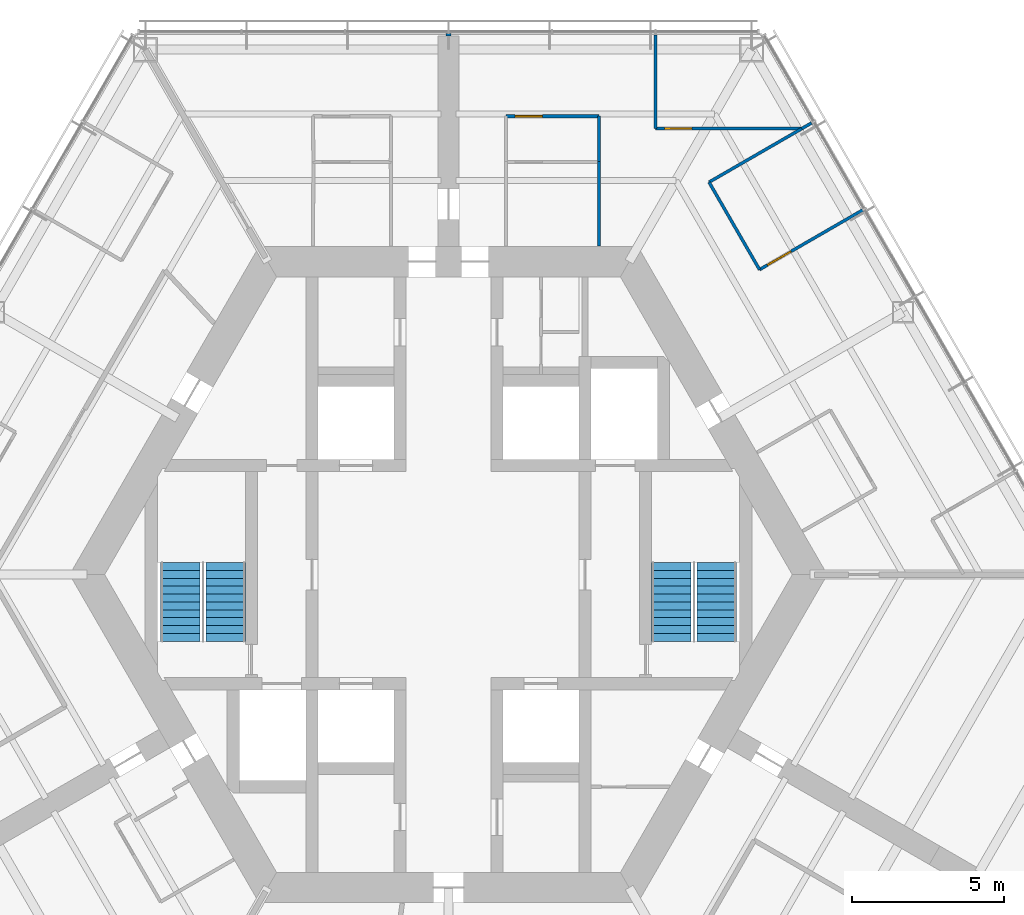
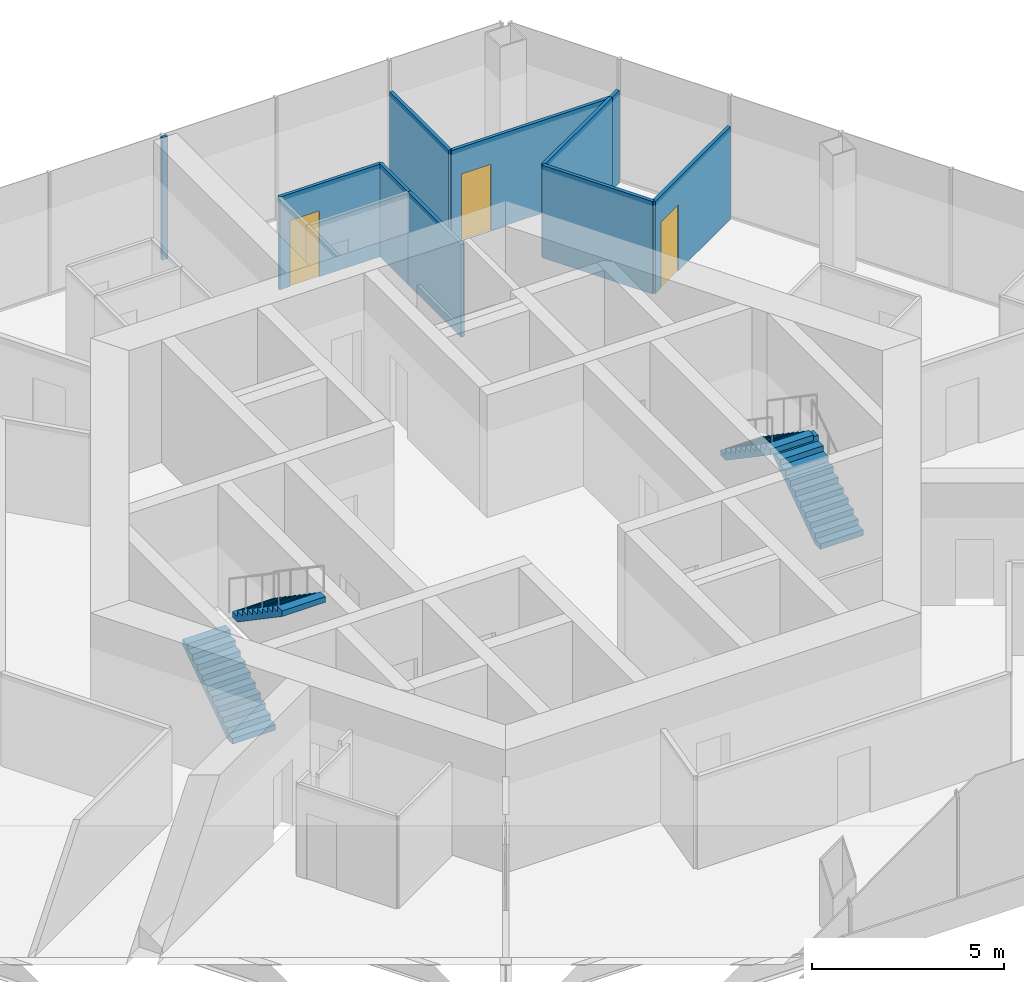
# One storey, part 15 of 18: 10 walls, 4 stair flights, 3 doors, 3 openings, 2 elements without a shape of their own.
"""IFC4 building model written with IfcOpenShell, lengths in metres."""

from ifc_helpers import new_model, si_unit, direction, frame, frame_2d, origin, place, context, subcontext, project, spatial, polyline, rectangle, outline, extrude, material, layer, layer_set, type_object, element, fill, aggregate, save


model = new_model("IFC4")

# Units and contexts
model_context = context("Model", 3, precision=1e-05, world=origin(), true_north=direction((0.0, 1.0)))
body_context = subcontext(model_context, "Body", "Model", "MODEL_VIEW")
ifc_project = project(units=[si_unit("LENGTHUNIT", "METRE"), si_unit("AREAUNIT", "SQUARE_METRE"), si_unit("VOLUMEUNIT", "CUBIC_METRE"), si_unit("PLANEANGLEUNIT", "RADIAN"), si_unit("MASSUNIT", "GRAM", prefix="KILO")], contexts=[model_context])

# Site, building, storey
site_placement = place(None, origin())
site = spatial("IfcSite", under=ifc_project, at=site_placement, CompositionType="ELEMENT")
building_placement = place(site_placement, origin())
building = spatial("IfcBuilding", under=site, at=building_placement, Name="Kasaneha Research Tower", CompositionType="ELEMENT")
storey_placement = place(building_placement, frame((0.0, 0.0, 152.60009765625)))
storey = spatial("IfcBuildingStorey", under=building, at=storey_placement, Name="L38", CompositionType="ELEMENT", Elevation=152.60009765625)

# Wall
ifc_material_1 = material(Name="Gypsum board on steel studs, one layer each side", Category="steel")
ifc_layer_1 = layer(ifc_material_1, 0.10009765625)
ifc_layer_set_1 = layer_set([ifc_layer_1], Name="Office partition 100")
wall_type_1 = type_object("IfcWallType", Name="Office partition 100", PredefinedType="PARTITIONING", material=ifc_layer_set_1)
wall_1_placement = place(storey_placement, frame((4.96630859375, 13.625, 0.0), z_axis=(0.0, 0.0, 1.0), x_axis=(0.001668567099, -0.999998607941, 0.0)))
element("IfcWall", 1, at=wall_1_placement, inside=storey, type_object=wall_type_1, Name="Office partition FAE03 L38", PredefinedType="PARTITIONING", context=body_context, shape_type="SweptSolid", body=[
    extrude(rectangle(XDim=2.780029296875, YDim=0.10009765625, at=frame_2d((1.39013671875, 0.0))), origin(), (0.0, 0.0, 1.0), 2.949951171875),
])

# Wall, opening, door
wall_2_placement = place(storey_placement, frame((1.89990234375, 15.125, 0.0), z_axis=(0.0, 0.0, 1.0), x_axis=(1.0, 0.0, 0.0)))
wall_2 = element("IfcWall", 2, at=wall_2_placement, inside=storey, type_object=wall_type_1, Name="Office partition FAE04 L38", PredefinedType="PARTITIONING", context=body_context, shape_type="SweptSolid", body=[
    extrude(rectangle(XDim=3.071044921875, YDim=0.10009765625, at=frame_2d((1.53564453125, 0.0))), origin(), (0.0, 0.0, 1.0), 2.949951171875),
])
opening_1_placement = place(wall_2_placement, frame((0.300048828125, 0.0, 0.0)))
opening_1 = element("IfcOpeningElement", 3, at=opening_1_placement, cuts=wall_2, Name="Opening L38-D27", PredefinedType="OPENING", context=body_context, shape_type="SweptSolid", body=[
    extrude(rectangle(XDim=0.89990234375, YDim=2.10009765625, at=frame_2d((0.449951171875, 1.050048828125))), frame((0.0, 0.06005859375, 0.0), z_axis=(0.0, -1.0, 0.0), x_axis=(1.0, 0.0, 0.0)), (0.0, 0.0, 1.0), 0.1201171875),
])
ifc_material_2 = material(Name="Steel", Category="steel")
door_type_1 = type_object("IfcDoorType", Name="Toilet lobby door FD30 900x2100", OperationType="NOTDEFINED", PredefinedType="DOOR", material=ifc_material_2)
door_1_placement = place(opening_1_placement, origin())
door_1 = element("IfcDoor", 4, at=door_1_placement, inside=storey, type_object=door_type_1, Name="Toilet lobby door L38-D27", OperationType="SINGLE_SWING_LEFT", OverallHeight=2.10009765625, OverallWidth=0.89990234375, PredefinedType="DOOR", context=body_context, shape_type="SweptSolid", body=[
    extrude(rectangle(XDim=0.89990234375, YDim=2.10009765625, at=frame_2d((0.449951171875, 1.050048828125))), frame((0.0, 0.02490234375, 0.0), z_axis=(0.0, -1.0, 0.0), x_axis=(1.0, 0.0, 0.0)), (0.0, 0.0, 1.0), 0.050048828125),
])
fill(opening_1, door_1)

# Walls
wall_3_placement = place(storey_placement, frame((4.970947265625, 15.125, 0.0), z_axis=(0.0, 0.0, 1.0), x_axis=(-0.00309243313, -0.999995218417, 0.0)))
element("IfcWall", 5, at=wall_3_placement, inside=storey, type_object=wall_type_1, Name="Office partition FAE06 L38", PredefinedType="PARTITIONING", context=body_context, shape_type="SweptSolid", body=[
    extrude(rectangle(XDim=1.5, YDim=0.10009765625, at=frame_2d((0.75, 0.0))), origin(), (0.0, 0.0, 1.0), 2.949951171875),
])
wall_4_placement = place(storey_placement, frame((11.6552734375, 14.714599609375, 0.0), z_axis=(0.0, 0.0, 1.0), x_axis=(0.866391722141, 0.499364980557, 0.0)))
element("IfcWall", 6, at=wall_4_placement, inside=storey, type_object=wall_type_1, Name="Office partition FAE10 L38", PredefinedType="PARTITIONING", context=body_context, shape_type="SweptSolid", body=[
    extrude(rectangle(XDim=0.37451171875, YDim=0.10009765625, at=frame_2d((0.187255859375, 0.0))), origin(), (0.0, 0.0, 1.0), 2.949951171875),
])
wall_5_placement = place(storey_placement, frame((8.597900390625, 12.94921875, 0.0), z_axis=(0.0, 0.0, 1.0), x_axis=(0.865996321171, 0.50005036918, 0.0)))
element("IfcWall", 7, at=wall_5_placement, inside=storey, type_object=wall_type_1, Name="Office partition FAE11 L38", PredefinedType="PARTITIONING", context=body_context, shape_type="SweptSolid", body=[
    extrude(rectangle(XDim=3.544677734375, YDim=0.10009765625, at=frame_2d((1.7724609375, 0.0))), origin(), (0.0, 0.0, 1.0), 2.949951171875),
])
wall_6_placement = place(storey_placement, frame((10.26318359375, 10.064453125, 0.0), z_axis=(0.0, 0.0, 1.0), x_axis=(-0.499946633866, 0.866056212544, 0.0)))
element("IfcWall", 8, at=wall_6_placement, inside=storey, type_object=wall_type_1, Name="Office partition FAE12 L38", PredefinedType="PARTITIONING", context=body_context, shape_type="SweptSolid", body=[
    extrude(rectangle(XDim=3.330810546875, YDim=0.10009765625, at=frame_2d((1.66552734375, 0.0))), origin(), (0.0, 0.0, 1.0), 2.949951171875),
])

# Wall, opening, door
wall_7_placement = place(storey_placement, frame((13.666748046875, 12.029541015625, 0.0), z_axis=(0.0, 0.0, 1.0), x_axis=(-0.866021102686, -0.500007449647, 0.0)))
wall_7 = element("IfcWall", 9, at=wall_7_placement, inside=storey, type_object=wall_type_1, Name="Office partition FAE13 L38", PredefinedType="PARTITIONING", context=body_context, shape_type="SweptSolid", body=[
    extrude(rectangle(XDim=3.93017578125, YDim=0.10009765625, at=frame_2d((1.965087890625, 0.0))), origin(), (0.0, 0.0, 1.0), 2.949951171875),
])
opening_2_placement = place(wall_7_placement, frame((2.72998046875, 0.0, 0.0)))
opening_2 = element("IfcOpeningElement", 10, at=opening_2_placement, cuts=wall_7, Name="Opening L38-D29", PredefinedType="OPENING", context=body_context, shape_type="SweptSolid", body=[
    extrude(rectangle(XDim=0.89990234375, YDim=2.10009765625, at=frame_2d((0.449951171875, 1.050048828125))), frame((0.0, 0.06005859375, 0.0), z_axis=(0.0, -1.0, 0.0), x_axis=(1.0, 0.0, 0.0)), (0.0, 0.0, 1.0), 0.1201171875),
])
ifc_material_3 = material(Name="Timber veneer", Category="wood")
door_type_2 = type_object("IfcDoorType", Name="Office door 900x2100", OperationType="SINGLE_SWING_LEFT", PredefinedType="DOOR", material=ifc_material_3)
door_2_placement = place(opening_2_placement, origin())
door_2 = element("IfcDoor", 11, at=door_2_placement, inside=storey, type_object=door_type_2, Name="Meeting room door L38-D29", OperationType="SINGLE_SWING_RIGHT", OverallHeight=2.10009765625, OverallWidth=0.89990234375, PredefinedType="DOOR", context=body_context, shape_type="SweptSolid", body=[
    extrude(rectangle(XDim=0.89990234375, YDim=2.10009765625, at=frame_2d((0.449951171875, 1.050048828125))), frame((0.0, 0.02490234375, 0.0), z_axis=(0.0, -1.0, 0.0), x_axis=(1.0, 0.0, 0.0)), (0.0, 0.0, 1.0), 0.050048828125),
])
fill(opening_2, door_2)

# Wall
wall_8_placement = place(storey_placement, frame((6.830810546875, 14.720458984375, 0.0), z_axis=(0.0, 0.0, 1.0), x_axis=(0.0, 1.0, 0.0)))
element("IfcWall", 12, at=wall_8_placement, inside=storey, type_object=wall_type_1, Name="Office partition FAE16 L38", PredefinedType="PARTITIONING", context=body_context, shape_type="SweptSolid", body=[
    extrude(rectangle(XDim=3.080078125, YDim=0.10009765625, at=frame_2d((1.5400390625, 0.0))), origin(), (0.0, 0.0, 1.0), 2.949951171875),
])

# Wall, opening, door
wall_9_placement = place(storey_placement, frame((11.66748046875, 14.7216796875, 0.0), z_axis=(0.0, 0.0, 1.0), x_axis=(-0.999999968151, -0.000252385031, 0.0)))
wall_9 = element("IfcWall", 13, at=wall_9_placement, inside=storey, type_object=wall_type_1, Name="Office partition FAE17 L38", PredefinedType="PARTITIONING", context=body_context, shape_type="SweptSolid", body=[
    extrude(rectangle(XDim=4.836669921875, YDim=0.10009765625, at=frame_2d((2.41845703125, 0.0))), origin(), (0.0, 0.0, 1.0), 2.949951171875),
])
opening_3_placement = place(wall_9_placement, frame((3.63671875, 0.0, 0.0)))
opening_3 = element("IfcOpeningElement", 14, at=opening_3_placement, cuts=wall_9, Name="Opening L38-D31", PredefinedType="OPENING", context=body_context, shape_type="SweptSolid", body=[
    extrude(rectangle(XDim=0.89990234375, YDim=2.10009765625, at=frame_2d((0.449951171875, 1.050048828125))), frame((0.0, 0.06005859375, 0.0), z_axis=(0.0, -1.0, 0.0), x_axis=(1.0, 0.0, 0.0)), (0.0, 0.0, 1.0), 0.1201171875),
])
door_3_placement = place(opening_3_placement, origin())
door_3 = element("IfcDoor", 15, at=door_3_placement, inside=storey, type_object=door_type_2, Name="Workroom door L38-D31", OperationType="SINGLE_SWING_RIGHT", OverallHeight=2.10009765625, OverallWidth=0.89990234375, PredefinedType="DOOR", context=body_context, shape_type="SweptSolid", body=[
    extrude(rectangle(XDim=0.89990234375, YDim=2.10009765625, at=frame_2d((0.449951171875, 1.050048828125))), frame((0.0, 0.02490234375, 0.0), z_axis=(0.0, -1.0, 0.0), x_axis=(1.0, 0.0, 0.0)), (0.0, 0.0, 1.0), 0.050048828125),
])
fill(opening_3, door_3)

# Wall
ifc_material_4 = material(Name="Gypsum board on steel studs, two layers each side", Category="steel")
ifc_layer_2 = layer(ifc_material_4, 0.175048828125)
ifc_layer_set_2 = layer_set([ifc_layer_2], Name="Tenancy fire partition 175")
wall_type_2 = type_object("IfcWallType", Name="Tenancy fire partition 175", PredefinedType="PARTITIONING", material=ifc_layer_set_2)
wall_10_placement = place(storey_placement, frame((0.0, 17.7705078125, 0.0), z_axis=(0.0, 0.0, 1.0), x_axis=(0.0, 1.0, 0.0)))
element("IfcWall", 16, at=wall_10_placement, inside=storey, type_object=wall_type_2, Name="Spine wall closer SW3-700 L38", PredefinedType="PARTITIONING", context=body_context, shape_type="SweptSolid", body=[
    extrude(rectangle(XDim=0.080078125, YDim=0.175048828125, at=frame_2d((0.0400390625, 0.0))), origin(), (0.0, 0.0, 1.0), 3.89990234375),
])

# Stair, stair flights
ifc_material_5 = material(Name="Concrete Fc24", Category="concrete")
stair_type = type_object("IfcStairType", Name="Half-turn stair 22 risers", PredefinedType="HALF_TURN_STAIR", material=ifc_material_5)
stair_1_placement = place(storey_placement, origin())
stair_1 = element("IfcStair", 17, at=stair_1_placement, inside=storey, type_object=stair_type, Name="Stair 1 L38", PredefinedType="HALF_TURN_STAIR")
ifc_material_6 = material(Name="Concrete Fc24", Category="concrete")
stair_flight_type = type_object("IfcStairFlightType", Name="Stair flight 11 risers 177.3", PredefinedType="STRAIGHT", material=ifc_material_6)
stair_flight_1_placement = place(storey_placement, frame((8.85009765625, -2.199951171875, 0.0), z_axis=(0.0, 0.0, 1.0), x_axis=(0.0, 1.0, 0.0)))
stair_flight_1 = element("IfcStairFlight", 18, at=stair_flight_1_placement, type_object=stair_flight_type, Name="ST1-22R flight 1", NumberOfRisers=11, NumberOfTreads=10, PredefinedType="STRAIGHT", RiserHeight=0.177272727, TreadLength=0.26, context=body_context, shape_type="SweptSolid", body=[
    extrude(outline(polyline([(0.0, 0.0), (0.0, 0.17724609375), (0.260009765625, 0.17724609375), (0.260009765625, 0.3544921875), (0.52001953125, 0.3544921875), (0.52001953125, 0.53173828125), (0.780029296875, 0.53173828125), (0.780029296875, 0.708984375), (1.0400390625, 0.708984375), (1.0400390625, 0.886474609375), (1.300048828125, 0.886474609375), (1.300048828125, 1.063720703125), (1.56005859375, 1.063720703125), (1.56005859375, 1.240966796875), (1.820068359375, 1.240966796875), (1.820068359375, 1.418212890625), (2.080078125, 1.418212890625), (2.080078125, 1.595458984375), (2.340087890625, 1.595458984375), (2.340087890625, 1.772705078125), (2.60009765625, 1.772705078125), (2.60009765625, 1.949951171875), (2.60009765625, 1.59130859375), (0.26611328125, 0.0), (0.0, 0.0)])), frame((0.0, 0.64990234375, 0.0), z_axis=(0.0, -1.0, 0.0), x_axis=(1.0, 0.0, 0.0)), (0.0, 0.0, 1.0), 1.300048828125),
])
stair_flight_2_placement = place(storey_placement, frame((7.35009765625, 0.39990234375, 1.949951171875), z_axis=(0.0, 0.0, 1.0), x_axis=(0.0, -1.0, 0.0)))
stair_flight_2 = element("IfcStairFlight", 19, at=stair_flight_2_placement, type_object=stair_flight_type, Name="ST1-22R flight 2", NumberOfRisers=11, NumberOfTreads=10, PredefinedType="STRAIGHT", RiserHeight=0.177272727, TreadLength=0.26, context=body_context, shape_type="SweptSolid", body=[
    extrude(outline(polyline([(0.0, 0.0), (0.0, 0.17724609375), (0.260009765625, 0.17724609375), (0.260009765625, 0.3544921875), (0.52001953125, 0.3544921875), (0.52001953125, 0.53173828125), (0.780029296875, 0.53173828125), (0.780029296875, 0.708984375), (1.0400390625, 0.708984375), (1.0400390625, 0.886474609375), (1.300048828125, 0.886474609375), (1.300048828125, 1.063720703125), (1.56005859375, 1.063720703125), (1.56005859375, 1.240966796875), (1.820068359375, 1.240966796875), (1.820068359375, 1.418212890625), (2.080078125, 1.418212890625), (2.080078125, 1.595458984375), (2.340087890625, 1.595458984375), (2.340087890625, 1.772705078125), (2.60009765625, 1.772705078125), (2.60009765625, 1.949951171875), (2.60009765625, 1.59130859375), (0.26611328125, 0.0), (0.0, 0.0)])), frame((0.0, 0.64990234375, 0.0), z_axis=(0.0, -1.0, 0.0), x_axis=(1.0, 0.0, 0.0)), (0.0, 0.0, 1.0), 1.300048828125),
])
aggregate(stair_1, [stair_flight_1, stair_flight_2])

stair_2_placement = place(storey_placement, origin())
stair_2 = element("IfcStair", 20, at=stair_2_placement, inside=storey, type_object=stair_type, Name="Stair 2 L38", PredefinedType="HALF_TURN_STAIR")
stair_flight_3_placement = place(storey_placement, frame((-8.85009765625, -2.199951171875, 0.0), z_axis=(0.0, 0.0, 1.0), x_axis=(0.0, 1.0, 0.0)))
stair_flight_3 = element("IfcStairFlight", 21, at=stair_flight_3_placement, type_object=stair_flight_type, Name="ST2-22R flight 1", NumberOfRisers=11, NumberOfTreads=10, PredefinedType="STRAIGHT", RiserHeight=0.177272727, TreadLength=0.26, context=body_context, shape_type="SweptSolid", body=[
    extrude(outline(polyline([(0.0, 0.0), (0.0, 0.17724609375), (0.260009765625, 0.17724609375), (0.260009765625, 0.3544921875), (0.52001953125, 0.3544921875), (0.52001953125, 0.53173828125), (0.780029296875, 0.53173828125), (0.780029296875, 0.708984375), (1.0400390625, 0.708984375), (1.0400390625, 0.886474609375), (1.300048828125, 0.886474609375), (1.300048828125, 1.063720703125), (1.56005859375, 1.063720703125), (1.56005859375, 1.240966796875), (1.820068359375, 1.240966796875), (1.820068359375, 1.418212890625), (2.080078125, 1.418212890625), (2.080078125, 1.595458984375), (2.340087890625, 1.595458984375), (2.340087890625, 1.772705078125), (2.60009765625, 1.772705078125), (2.60009765625, 1.949951171875), (2.60009765625, 1.59130859375), (0.26611328125, 0.0), (0.0, 0.0)])), frame((0.0, 0.64990234375, 0.0), z_axis=(0.0, -1.0, 0.0), x_axis=(1.0, 0.0, 0.0)), (0.0, 0.0, 1.0), 1.300048828125),
])
stair_flight_4_placement = place(storey_placement, frame((-7.35009765625, 0.39990234375, 1.949951171875), z_axis=(0.0, 0.0, 1.0), x_axis=(0.0, -1.0, 0.0)))
stair_flight_4 = element("IfcStairFlight", 22, at=stair_flight_4_placement, type_object=stair_flight_type, Name="ST2-22R flight 2", NumberOfRisers=11, NumberOfTreads=10, PredefinedType="STRAIGHT", RiserHeight=0.177272727, TreadLength=0.26, context=body_context, shape_type="SweptSolid", body=[
    extrude(outline(polyline([(0.0, 0.0), (0.0, 0.17724609375), (0.260009765625, 0.17724609375), (0.260009765625, 0.3544921875), (0.52001953125, 0.3544921875), (0.52001953125, 0.53173828125), (0.780029296875, 0.53173828125), (0.780029296875, 0.708984375), (1.0400390625, 0.708984375), (1.0400390625, 0.886474609375), (1.300048828125, 0.886474609375), (1.300048828125, 1.063720703125), (1.56005859375, 1.063720703125), (1.56005859375, 1.240966796875), (1.820068359375, 1.240966796875), (1.820068359375, 1.418212890625), (2.080078125, 1.418212890625), (2.080078125, 1.595458984375), (2.340087890625, 1.595458984375), (2.340087890625, 1.772705078125), (2.60009765625, 1.772705078125), (2.60009765625, 1.949951171875), (2.60009765625, 1.59130859375), (0.26611328125, 0.0), (0.0, 0.0)])), frame((0.0, 0.64990234375, 0.0), z_axis=(0.0, -1.0, 0.0), x_axis=(1.0, 0.0, 0.0)), (0.0, 0.0, 1.0), 1.300048828125),
])
aggregate(stair_2, [stair_flight_3, stair_flight_4])

save(model, "model.ifc")
